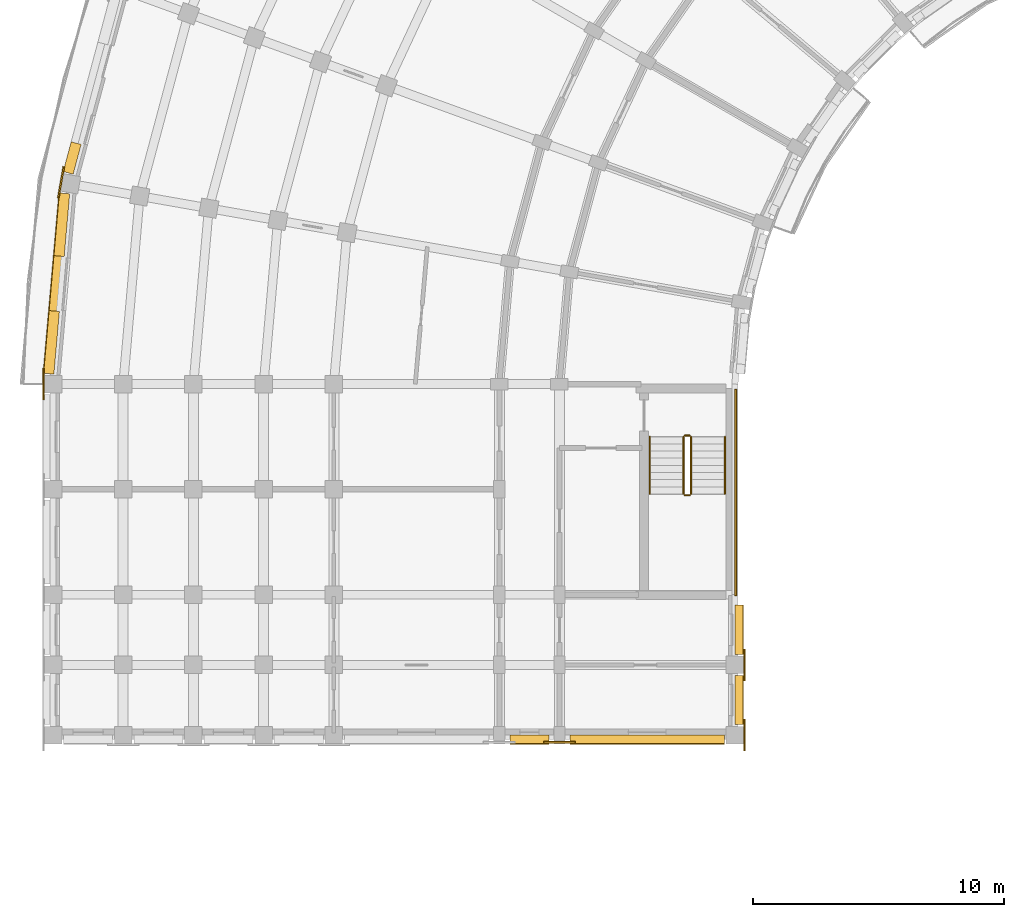
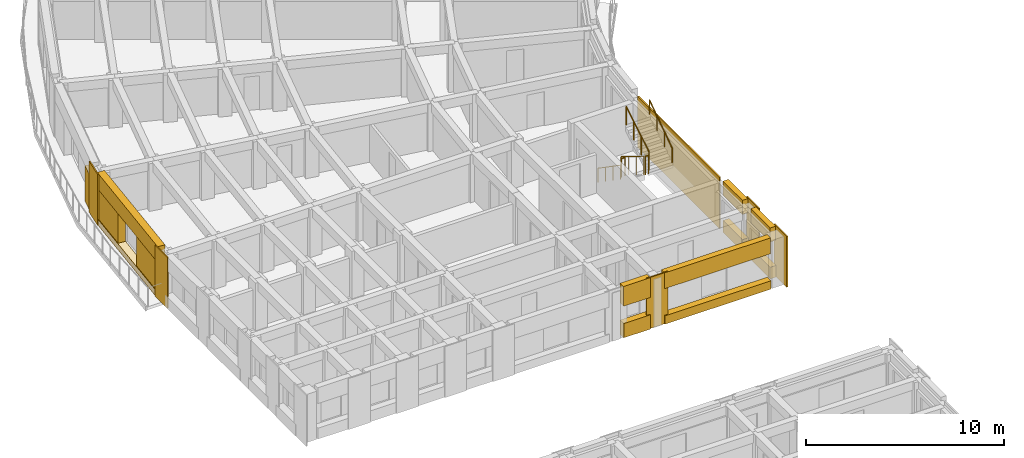
# One storey, part 46 of 57: 19 coverings, 6 railings.
"""IFC4 building model written with IfcOpenShell, lengths in metres."""

from ifc_helpers import new_model, si_unit, direction, frame, origin, origin_2d, place, context, subcontext, project, spatial, polyline, circle, outline, extrude, material, layer, layer_set, type_object, element, save


model = new_model("IFC4")

# Units and contexts
model_context = context("Model", 3, precision=1e-05, world=origin(), true_north=direction((0.0, 1.0)))
body_context = subcontext(model_context, "Body", "Model", "MODEL_VIEW")
ifc_project = project(units=[si_unit("LENGTHUNIT", "METRE"), si_unit("AREAUNIT", "SQUARE_METRE"), si_unit("VOLUMEUNIT", "CUBIC_METRE"), si_unit("PLANEANGLEUNIT", "RADIAN"), si_unit("MASSUNIT", "GRAM", prefix="KILO")], contexts=[model_context])

# Site, building, storey
site_placement = place(None, origin())
site = spatial("IfcSite", under=ifc_project, at=site_placement, CompositionType="ELEMENT")
building_placement = place(site_placement, origin())
building = spatial("IfcBuilding", under=site, at=building_placement, Name="Kiranvali Square Residences", CompositionType="ELEMENT")
storey_placement = place(building_placement, frame((0.0, 0.0, 24.449951171875)))
storey = spatial("IfcBuildingStorey", under=building, at=storey_placement, Name="L07", CompositionType="ELEMENT", Elevation=24.449951171875)

# Coverings
ifc_material_1 = material(Name="Honed Porbandar limestone ashlar facade cladding", Category="masonry")
ifc_layer_1 = layer(ifc_material_1, 0.3798828125)
ifc_layer_set_1 = layer_set([ifc_layer_1], Name="Honed Porbandar limestone ashlar facade cladding")
covering_type_1 = type_object("IfcCoveringType", Name="COV-CLAD-JAMB", PredefinedType="CLADDING", material=ifc_layer_set_1)
covering_1_placement = place(storey_placement, origin())
element("IfcCovering", 1, at=covering_1_placement, inside=storey, type_object=covering_type_1, Name="L07 deep limestone window jamb reveal A-L07-CRV-07.R", PredefinedType="CLADDING", context=body_context, shape_type="SweptSolid", body=[
    extrude(outline(polyline([(2.923828125, 97.46533203125), (2.6064453125, 96.2802734375), (3.001953125, 96.17431640625), (3.3193359375, 97.359375), (2.923828125, 97.46533203125)])), origin(), (0.0, 0.0, 1.0), 2.179931640625),
])
covering_2_placement = place(storey_placement, frame((0.0, 0.0, 0.3720703125)))
element("IfcCovering", 2, at=covering_2_placement, inside=storey, type_object=covering_type_1, Name="L07 deep limestone window jamb reveal A-L07-CRV-08.L", PredefinedType="CLADDING", context=body_context, shape_type="SweptSolid", body=[
    extrude(outline(polyline([(2.45556640625, 95.425048828125), (2.23681640625, 92.925537109375), (2.644775390625, 92.8896484375), (2.863525390625, 95.389404296875), (2.45556640625, 95.425048828125)])), origin(), (0.0, 0.0, 1.0), 1.800048828125),
])
covering_3_placement = place(storey_placement, frame((0.0, 0.0, 0.3720703125)))
element("IfcCovering", 3, at=covering_3_placement, inside=storey, type_object=covering_type_1, Name="L07 deep limestone window jamb reveal A-L07-CRV-08.R", PredefinedType="CLADDING", context=body_context, shape_type="SweptSolid", body=[
    extrude(outline(polyline([(2.045166015625, 90.73388671875), (1.826416015625, 88.234130859375), (2.234375, 88.198486328125), (2.453125, 90.6982421875), (2.045166015625, 90.73388671875)])), origin(), (0.0, 0.0, 1.0), 1.800048828125),
])
ifc_layer_2 = layer(ifc_material_1, 0.06494140625)
ifc_layer_set_2 = layer_set([ifc_layer_2], Name="Honed Porbandar limestone ashlar facade cladding")
covering_type_2 = type_object("IfcCoveringType", Name="COV-CLAD-PIER", PredefinedType="CLADDING", material=ifc_layer_set_2)
covering_4_placement = place(storey_placement, frame((0.0, 0.0, 0.005126953125)))
element("IfcCovering", 4, at=covering_4_placement, inside=storey, type_object=covering_type_2, Name="L07 Classical limestone corner pilaster CLAD-PR-A-L07-A08", PredefinedType="CLADDING", context=body_context, shape_type="SweptSolid", body=[
    extrude(outline(polyline([(2.5966796875, 96.480712890625), (2.377685546875, 95.239990234375), (2.4443359375, 95.228271484375), (2.6630859375, 96.468994140625), (2.5966796875, 96.480712890625)])), origin(), (0.0, 0.0, 1.0), 3.139892578125),
])
covering_5_placement = place(storey_placement, frame((0.0, 0.0, 0.005126953125)))
element("IfcCovering", 5, at=covering_5_placement, inside=storey, type_object=covering_type_2, Name="L07 Classical limestone corner pilaster CLAD-PR-A-L07-A09", PredefinedType="CLADDING", context=body_context, shape_type="SweptSolid", body=[
    extrude(outline(polyline([(1.781982421875, 88.429931640625), (1.781982421875, 87.169921875), (1.849609375, 87.169921875), (1.849609375, 88.429931640625), (1.781982421875, 88.429931640625)])), origin(), (0.0, 0.0, 1.0), 3.139892578125),
])
covering_6_placement = place(storey_placement, frame((0.0, 0.0, 0.005126953125)))
element("IfcCovering", 6, at=covering_6_placement, inside=storey, type_object=covering_type_2, Name="Block A L07 Arm 2 stair limestone ashlar cladding", PredefinedType="CLADDING", context=body_context, shape_type="SweptSolid", body=[
    extrude(outline(polyline([(29.402099609375, 87.60009765625), (29.402099609375, 79.35009765625), (29.47998046875, 79.35009765625), (29.47998046875, 87.60009765625), (29.402099609375, 87.60009765625)])), origin(), (0.0, 0.0, 1.0), 3.139892578125),
])
ifc_layer_3 = layer(ifc_material_1, 0.050048828125)
ifc_layer_set_3 = layer_set([ifc_layer_3], Name="Honed Porbandar limestone ashlar facade cladding")
covering_type_3 = type_object("IfcCoveringType", Name="COV-CLAD-PIER-IN", PredefinedType="CLADDING", material=ifc_layer_set_3)
covering_7_placement = place(storey_placement, frame((0.0, 0.0, 0.005126953125)))
element("IfcCovering", 7, at=covering_7_placement, inside=storey, type_object=covering_type_3, Name="L07 Classical limestone pilaster casing CLAD-PRA2I-A-L07-V112", PredefinedType="CLADDING", context=body_context, shape_type="SweptSolid", body=[
    extrude(outline(polyline([(29.75048828125, 77.22998046875), (29.75048828125, 75.969970703125), (29.818115234375, 75.969970703125), (29.818115234375, 77.22998046875), (29.75048828125, 77.22998046875)])), origin(), (0.0, 0.0, 1.0), 3.139892578125),
])
covering_8_placement = place(storey_placement, frame((0.0, 0.0, 0.005126953125)))
element("IfcCovering", 8, at=covering_8_placement, inside=storey, type_object=covering_type_3, Name="L07 Classical limestone pilaster casing CLAD-PRA2I-A-L07-V140", PredefinedType="CLADDING", context=body_context, shape_type="SweptSolid", body=[
    extrude(outline(polyline([(29.75048828125, 74.429931640625), (29.75048828125, 73.169921875), (29.818115234375, 73.169921875), (29.818115234375, 74.429931640625), (29.75048828125, 74.429931640625)])), origin(), (0.0, 0.0, 1.0), 3.139892578125),
])
ifc_layer_4 = layer(ifc_material_1, 0.054931640625)
ifc_layer_set_4 = layer_set([ifc_layer_4], Name="Honed Porbandar limestone ashlar facade cladding")
covering_type_4 = type_object("IfcCoveringType", Name="COV-CLAD-PIER-UP", PredefinedType="CLADDING", material=ifc_layer_set_4)
covering_9_placement = place(storey_placement, frame((0.0, 0.0, 0.005126953125)))
element("IfcCovering", 9, at=covering_9_placement, inside=storey, type_object=covering_type_4, Name="L07 Classical limestone pilaster casing CLAD-PRA2E-A-L07-R258", PredefinedType="CLADDING", context=body_context, shape_type="SweptSolid", body=[
    extrude(outline(polyline([(23.030029296875, 73.549560546875), (21.77001953125, 73.549560546875), (21.77001953125, 73.48193359375), (23.030029296875, 73.48193359375), (23.030029296875, 73.549560546875)])), origin(), (0.0, 0.0, 1.0), 3.139892578125),
])
ifc_layer_5 = layer(ifc_material_1, 0.360107421875)
ifc_layer_set_5 = layer_set([ifc_layer_5], Name="Honed Porbandar limestone ashlar facade cladding")
covering_type_5 = type_object("IfcCoveringType", Name="COV-CLAD-WALL", PredefinedType="CLADDING", material=ifc_layer_set_5)
covering_10_placement = place(storey_placement, frame((0.0, 0.0, 2.172119140625)))
element("IfcCovering", 10, at=covering_10_placement, inside=storey, type_object=covering_type_5, Name="L07 light limestone spandrel lintel A-L07-CRV-08", PredefinedType="CLADDING", context=body_context, shape_type="SweptSolid", body=[
    extrude(outline(polyline([(2.45556640625, 95.425048828125), (1.826416015625, 88.234130859375), (2.234375, 88.198486328125), (2.863525390625, 95.389404296875), (2.45556640625, 95.425048828125)])), origin(), (0.0, 0.0, 1.0), 0.972900390625),
])
covering_11_placement = place(storey_placement, frame((0.0, 0.0, 0.005126953125)))
element("IfcCovering", 11, at=covering_11_placement, inside=storey, type_object=covering_type_5, Name="L07 limestone window sill apron A-L07-CRV-08", PredefinedType="CLADDING", context=body_context, shape_type="SweptSolid", body=[
    extrude(outline(polyline([(2.42578125, 95.427734375), (1.796630859375, 88.23681640625), (2.234375, 88.198486328125), (2.863525390625, 95.389404296875), (2.42578125, 95.427734375)])), origin(), (0.0, 0.0, 1.0), 0.366943359375),
])
covering_12_placement = place(storey_placement, frame((0.0, 0.0, 2.27197265625)))
element("IfcCovering", 12, at=covering_12_placement, inside=storey, type_object=covering_type_5, Name="L07 light limestone spandrel lintel A-L07-A2I-0", PredefinedType="CLADDING", context=body_context, shape_type="SweptSolid", body=[
    extrude(outline(polyline([(29.400390625, 78.97998046875), (29.400390625, 77.02001953125), (29.719970703125, 77.02001953125), (29.719970703125, 78.97998046875), (29.400390625, 78.97998046875)])), origin(), (0.0, 0.0, 1.0), 0.873046875),
])
covering_13_placement = place(storey_placement, frame((0.0, 0.0, 0.005126953125)))
element("IfcCovering", 13, at=covering_13_placement, inside=storey, type_object=covering_type_5, Name="L07 limestone window sill apron A-L07-A2I-0", PredefinedType="CLADDING", context=body_context, shape_type="SweptSolid", body=[
    extrude(outline(polyline([(29.400390625, 78.97998046875), (29.400390625, 77.02001953125), (29.75, 77.02001953125), (29.75, 78.97998046875), (29.400390625, 78.97998046875)])), origin(), (0.0, 0.0, 1.0), 0.717041015625),
])
covering_14_placement = place(storey_placement, frame((0.0, 0.0, 2.27197265625)))
element("IfcCovering", 14, at=covering_14_placement, inside=storey, type_object=covering_type_5, Name="L07 light limestone spandrel lintel A-L07-A2I-1", PredefinedType="CLADDING", context=body_context, shape_type="SweptSolid", body=[
    extrude(outline(polyline([(29.400390625, 76.179931640625), (29.400390625, 74.219970703125), (29.719970703125, 74.219970703125), (29.719970703125, 76.179931640625), (29.400390625, 76.179931640625)])), origin(), (0.0, 0.0, 1.0), 0.873046875),
])
covering_15_placement = place(storey_placement, frame((0.0, 0.0, 0.005126953125)))
element("IfcCovering", 15, at=covering_15_placement, inside=storey, type_object=covering_type_5, Name="L07 limestone window sill apron A-L07-A2I-1", PredefinedType="CLADDING", context=body_context, shape_type="SweptSolid", body=[
    extrude(outline(polyline([(29.400390625, 76.179931640625), (29.400390625, 74.219970703125), (29.75, 74.219970703125), (29.75, 76.179931640625), (29.400390625, 76.179931640625)])), origin(), (0.0, 0.0, 1.0), 0.717041015625),
])
covering_16_placement = place(storey_placement, frame((0.0, 0.0, 2.172119140625)))
element("IfcCovering", 16, at=covering_16_placement, inside=storey, type_object=covering_type_5, Name="L07 light limestone spandrel lintel A-L07-A2END-0", PredefinedType="CLADDING", context=body_context, shape_type="SweptSolid", body=[
    extrude(outline(polyline([(28.97998046875, 73.799560546875), (22.820068359375, 73.799560546875), (22.820068359375, 73.4599609375), (28.97998046875, 73.4599609375), (28.97998046875, 73.799560546875)])), origin(), (0.0, 0.0, 1.0), 0.972900390625),
])
covering_17_placement = place(storey_placement, frame((0.0, 0.0, 0.005126953125)))
element("IfcCovering", 17, at=covering_17_placement, inside=storey, type_object=covering_type_5, Name="L07 limestone window sill apron A-L07-A2END-0", PredefinedType="CLADDING", context=body_context, shape_type="SweptSolid", body=[
    extrude(outline(polyline([(28.97998046875, 73.799560546875), (22.820068359375, 73.799560546875), (22.820068359375, 73.429931640625), (28.97998046875, 73.429931640625), (28.97998046875, 73.799560546875)])), origin(), (0.0, 0.0, 1.0), 0.516845703125),
])
covering_18_placement = place(storey_placement, frame((0.0, 0.0, 1.929931640625)))
element("IfcCovering", 18, at=covering_18_placement, inside=storey, type_object=covering_type_5, Name="L07 light limestone spandrel lintel A-L07-A2END-1", PredefinedType="CLADDING", context=body_context, shape_type="SweptSolid", body=[
    extrude(outline(polyline([(21.97998046875, 73.799560546875), (20.419921875, 73.799560546875), (20.419921875, 73.4599609375), (21.97998046875, 73.4599609375), (21.97998046875, 73.799560546875)])), origin(), (0.0, 0.0, 1.0), 1.215087890625),
])
covering_19_placement = place(storey_placement, frame((0.0, 0.0, 0.005126953125)))
element("IfcCovering", 19, at=covering_19_placement, inside=storey, type_object=covering_type_5, Name="L07 limestone window sill apron A-L07-A2END-1", PredefinedType="CLADDING", context=body_context, shape_type="SweptSolid", body=[
    extrude(outline(polyline([(21.97998046875, 73.799560546875), (20.419921875, 73.799560546875), (20.419921875, 73.429931640625), (21.97998046875, 73.429931640625), (21.97998046875, 73.799560546875)])), origin(), (0.0, 0.0, 1.0), 0.875),
])

# Railings
ifc_material_2 = material(Name="Brushed stainless steel tubular handrail", Category="steel")
railing_type_1 = type_object("IfcRailingType", Name="RL-HANDRAIL-900", PredefinedType="HANDRAIL", material=ifc_material_2)
railing_1_placement = place(storey_placement, frame((26.0, 85.699951171875, 0.175048828125)))
element("IfcRailing", 20, at=railing_1_placement, inside=storey, type_object=railing_type_1, Name="L07 ST-A3 stair handrail 1", PredefinedType="HANDRAIL", context=body_context, shape_type="SweptSolid", body=[
    extrude(circle(Radius=0.02392578125, at=origin_2d()), frame((0.0, 0.0, 0.8759765625), z_axis=(0.0, -0.82278801735, 0.568348377763), x_axis=(1.0, 0.0, 0.0)), (0.0, 0.0, 1.0), 2.77099609375),
    extrude(circle(Radius=0.02099609375, at=origin_2d()), origin(), (0.0, 0.0, 1.0), 0.851806640625),
    extrude(circle(Radius=0.02099609375, at=origin_2d()), frame((0.0, -0.760009765625, 0.52490234375)), (0.0, 0.0, 1.0), 0.851806640625),
    extrude(circle(Radius=0.02099609375, at=origin_2d()), frame((0.0, -1.52001953125, 1.050048828125)), (0.0, 0.0, 1.0), 0.851806640625),
    extrude(circle(Radius=0.02099609375, at=origin_2d()), frame((0.0, -2.280029296875, 1.574951171875)), (0.0, 0.0, 1.0), 0.851806640625),
])
railing_2_placement = place(storey_placement, frame((29.0, 83.419921875, 1.75)))
element("IfcRailing", 21, at=railing_2_placement, inside=storey, type_object=railing_type_1, Name="L07 ST-A3 stair handrail 2", PredefinedType="HANDRAIL", context=body_context, shape_type="SweptSolid", body=[
    extrude(circle(Radius=0.02392578125, at=origin_2d()), frame((0.0, 0.0, 0.8759765625), z_axis=(0.0, 0.82278801735, 0.568348377763), x_axis=(-1.0, 0.0, 0.0)), (0.0, 0.0, 1.0), 2.77099609375),
    extrude(circle(Radius=0.02099609375, at=origin_2d()), origin(), (0.0, 0.0, 1.0), 0.851806640625),
    extrude(circle(Radius=0.02099609375, at=origin_2d()), frame((0.0, 0.760009765625, 0.52490234375)), (0.0, 0.0, 1.0), 0.851806640625),
    extrude(circle(Radius=0.02099609375, at=origin_2d()), frame((0.0, 1.52001953125, 1.050048828125)), (0.0, 0.0, 1.0), 0.851806640625),
    extrude(circle(Radius=0.02099609375, at=origin_2d()), frame((0.0, 2.280029296875, 1.574951171875)), (0.0, 0.0, 1.0), 0.851806640625),
])
ifc_material_3 = material(Name="Powder-coated architectural bronze balustrade", Category="steel")
railing_type_2 = type_object("IfcRailingType", Name="RL-ST-GUARD-1200", PredefinedType="GUARDRAIL", material=ifc_material_3)
railing_3_placement = place(storey_placement, frame((27.35009765625, 85.699951171875, 0.175048828125)))
element("IfcRailing", 22, at=railing_3_placement, inside=storey, type_object=railing_type_2, Name="L07 ST-A3 stair guard 1", PredefinedType="GUARDRAIL", context=body_context, shape_type="SweptSolid", body=[
    extrude(circle(Radius=0.02392578125, at=origin_2d()), frame((0.0, 0.0, 1.1259765625), z_axis=(0.0, -0.852190499154, 0.523231643875), x_axis=(1.0, 0.0, 0.0)), (0.0, 0.0, 1.0), 2.675537109375),
    extrude(circle(Radius=0.02099609375, at=origin_2d()), origin(), (0.0, 0.0, 1.0), 1.101806640625),
    extrude(circle(Radius=0.02099609375, at=origin_2d()), frame((0.0, -0.760009765625, 0.466552734375)), (0.0, 0.0, 1.0), 1.101806640625),
    extrude(circle(Radius=0.02099609375, at=origin_2d()), frame((0.0, -1.52001953125, 0.933349609375)), (0.0, 0.0, 1.0), 1.101806640625),
    extrude(circle(Radius=0.02099609375, at=origin_2d()), frame((0.0, -2.280029296875, 1.39990234375)), (0.0, 0.0, 1.0), 1.101806640625),
])
railing_4_placement = place(storey_placement, frame((27.39990234375, 83.3701171875, 1.574951171875)))
element("IfcRailing", 23, at=railing_4_placement, inside=storey, type_object=railing_type_2, Name="L07 ST-A3 stair guard 2", PredefinedType="GUARDRAIL", context=body_context, shape_type="SweptSolid", body=[
    extrude(circle(Radius=0.02392578125, at=origin_2d()), frame((0.0, 0.0, 1.1259765625), z_axis=(1.0, 0.0, 0.0), x_axis=(0.0, 1.0, 0.0)), (0.0, 0.0, 1.0), 0.2001953125),
    extrude(circle(Radius=0.02099609375, at=origin_2d()), origin(), (0.0, 0.0, 1.0), 1.101806640625),
    extrude(circle(Radius=0.02099609375, at=origin_2d()), frame((0.2001953125, 0.0, 0.0)), (0.0, 0.0, 1.0), 1.101806640625),
])
railing_5_placement = place(storey_placement, frame((27.64990234375, 83.419921875, 1.75)))
element("IfcRailing", 24, at=railing_5_placement, inside=storey, type_object=railing_type_2, Name="L07 ST-A3 stair guard 3", PredefinedType="GUARDRAIL", context=body_context, shape_type="SweptSolid", body=[
    extrude(circle(Radius=0.02392578125, at=origin_2d()), frame((0.0, 0.0, 1.1259765625), z_axis=(0.0, 0.852149810458, 0.523297908018), x_axis=(-1.0, 0.0, 0.0)), (0.0, 0.0, 1.0), 2.675537109375),
    extrude(circle(Radius=0.02099609375, at=origin_2d()), origin(), (0.0, 0.0, 1.0), 1.101806640625),
    extrude(circle(Radius=0.02099609375, at=origin_2d()), frame((0.0, 0.760009765625, 0.466796875)), (0.0, 0.0, 1.0), 1.101806640625),
    extrude(circle(Radius=0.02099609375, at=origin_2d()), frame((0.0, 1.52001953125, 0.933349609375)), (0.0, 0.0, 1.0), 1.101806640625),
    extrude(circle(Radius=0.02099609375, at=origin_2d()), frame((0.0, 2.280029296875, 1.400146484375)), (0.0, 0.0, 1.0), 1.101806640625),
])
railing_6_placement = place(storey_placement, frame((27.39990234375, 85.75, 0.0)))
element("IfcRailing", 25, at=railing_6_placement, inside=storey, type_object=railing_type_2, Name="L07 ST-A3 stair guard 4", PredefinedType="GUARDRAIL", context=body_context, shape_type="SweptSolid", body=[
    extrude(circle(Radius=0.02392578125, at=origin_2d()), frame((0.0, 0.0, 1.1259765625), z_axis=(1.0, 0.0, 0.0), x_axis=(0.0, 1.0, 0.0)), (0.0, 0.0, 1.0), 0.2001953125),
    extrude(circle(Radius=0.02099609375, at=origin_2d()), origin(), (0.0, 0.0, 1.0), 1.101806640625),
    extrude(circle(Radius=0.02099609375, at=origin_2d()), frame((0.2001953125, 0.0, 0.0)), (0.0, 0.0, 1.0), 1.101806640625),
])

save(model, "model.ifc")
